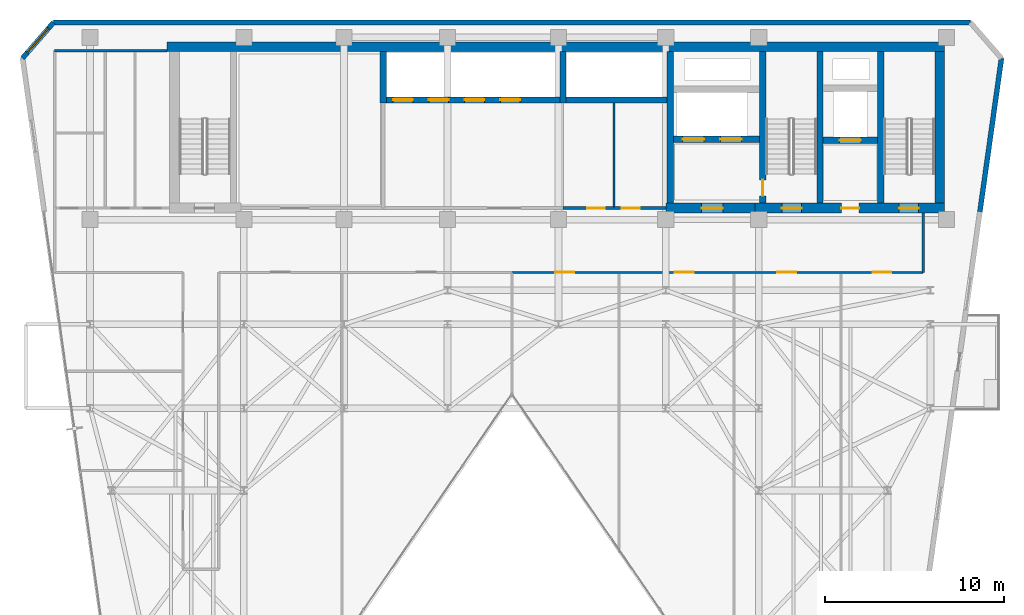
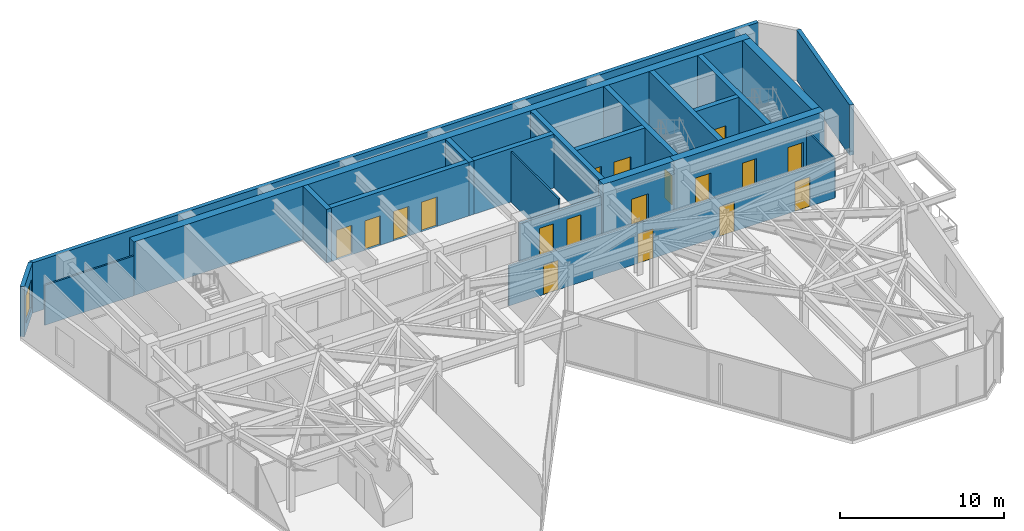
# One storey, part 23 of 26: 22 walls, 18 doors, 1 window, 19 openings.
"""IFC4 building model written with IfcOpenShell, lengths in metres."""

from ifc_helpers import new_model, si_unit, direction, frame, frame_2d, origin, place, context, subcontext, project, spatial, rectangle, extrude, material, layer, layer_set, type_object, element, fill, save


model = new_model("IFC4")

# Units and contexts
model_context = context("Model", 3, precision=1e-05, world=origin(), true_north=direction((0.0, 1.0)))
body_context = subcontext(model_context, "Body", "Model", "MODEL_VIEW")
ifc_project = project(units=[si_unit("LENGTHUNIT", "METRE"), si_unit("AREAUNIT", "SQUARE_METRE"), si_unit("VOLUMEUNIT", "CUBIC_METRE"), si_unit("PLANEANGLEUNIT", "RADIAN"), si_unit("MASSUNIT", "GRAM", prefix="KILO")], contexts=[model_context])

# Site, building, storey
site_placement = place(None, origin())
site = spatial("IfcSite", under=ifc_project, at=site_placement, CompositionType="ELEMENT")
building_placement = place(site_placement, origin())
building = spatial("IfcBuilding", under=site, at=building_placement, Name="Kravanh Interchange Tower", CompositionType="ELEMENT")
storey_placement = place(building_placement, frame((0.0, 0.0, 212.5)))
storey = spatial("IfcBuildingStorey", under=building, at=storey_placement, Name="L51", CompositionType="ELEMENT", Elevation=212.5)

# Walls
ifc_material_1 = material(Name="Double Acoustic Gypsum Board and Mineral Wool")
ifc_layer_1 = layer(ifc_material_1, 0.1201171875)
ifc_layer_set_1 = layer_set([ifc_layer_1], Name="Acoustic Office Drywall Partition 120mm")
wall_type_1 = type_object("IfcWallType", Name="Acoustic Office Drywall Partition 120mm", PredefinedType="PARTITIONING", material=ifc_layer_set_1)
wall_1_placement = place(storey_placement, frame((47.89990234375, 38.068115234375, 0.0), z_axis=(0.0, 0.0, 1.0), x_axis=(0.0, 1.0, 0.0)))
element("IfcWall", 1, at=wall_1_placement, inside=storey, type_object=wall_type_1, Name="L51 Interior Partition 2", PredefinedType="PARTITIONING", context=body_context, shape_type="SweptSolid", body=[
    extrude(rectangle(XDim=5.798828125, YDim=0.1201171875, at=frame_2d((2.8994140625, 0.0))), origin(), (0.0, 0.0, 1.0), 3.7548828125),
])
wall_2_placement = place(storey_placement, frame((16.6201171875, 46.800048828125, 0.0), z_axis=(0.0, 0.0, 1.0), x_axis=(1.0, 0.0, 0.0)))
element("IfcWall", 2, at=wall_2_placement, inside=storey, type_object=wall_type_1, Name="L51 Restroom North Enclosure 8", PredefinedType="PARTITIONING", context=body_context, shape_type="SweptSolid", body=[
    extrude(rectangle(XDim=6.27978515625, YDim=0.1201171875, at=frame_2d((3.139892578125, 0.0))), origin(), (0.0, 0.0, 1.0), 2.98193359375),
])

# Wall, openings, doors
wall_3_placement = place(storey_placement, frame((42.199951171875, 34.39990234375, 0.0), z_axis=(0.0, 0.0, 1.0), x_axis=(1.0, 0.0, 0.0)))
wall_3 = element("IfcWall", 3, at=wall_3_placement, inside=storey, type_object=wall_type_1, Name="L51 Interior Partition 14", PredefinedType="PARTITIONING", context=body_context, shape_type="SweptSolid", body=[
    extrude(rectangle(XDim=23.0, YDim=0.1201171875, at=frame_2d((11.5, 0.0))), origin(), (0.0, 0.0, 1.0), 2.98193359375),
])
opening_1_placement = place(wall_3_placement, frame((2.4248046875, 0.0, 0.0)))
opening_1 = element("IfcOpeningElement", 4, at=opening_1_placement, cuts=wall_3, Name="Opening D-105", PredefinedType="OPENING", context=body_context, shape_type="SweptSolid", body=[
    extrude(rectangle(XDim=1.050048828125, YDim=2.199951171875, at=frame_2d((0.52490234375, 1.10009765625))), frame((0.0, 0.070068359375, 0.0), z_axis=(0.0, -1.0, 0.0), x_axis=(1.0, 0.0, 0.0)), (0.0, 0.0, 1.0), 0.14013671875),
])
opening_2_placement = place(wall_3_placement, frame((9.115966796875, 0.0, 0.0)))
opening_2 = element("IfcOpeningElement", 5, at=opening_2_placement, cuts=wall_3, Name="Opening D-105", PredefinedType="OPENING", context=body_context, shape_type="SweptSolid", body=[
    extrude(rectangle(XDim=1.050048828125, YDim=2.199951171875, at=frame_2d((0.52490234375, 1.10009765625))), frame((0.0, 0.070068359375, 0.0), z_axis=(0.0, -1.0, 0.0), x_axis=(1.0, 0.0, 0.0)), (0.0, 0.0, 1.0), 0.14013671875),
])
opening_3_placement = place(wall_3_placement, frame((14.8447265625, 0.0, 0.0)))
opening_3 = element("IfcOpeningElement", 6, at=opening_3_placement, cuts=wall_3, Name="Opening D-105", PredefinedType="OPENING", context=body_context, shape_type="SweptSolid", body=[
    extrude(rectangle(XDim=1.050048828125, YDim=2.199951171875, at=frame_2d((0.52490234375, 1.10009765625))), frame((0.0, 0.070068359375, 0.0), z_axis=(0.0, -1.0, 0.0), x_axis=(1.0, 0.0, 0.0)), (0.0, 0.0, 1.0), 0.14013671875),
])
opening_4_placement = place(wall_3_placement, frame((20.175048828125, 0.0, 0.0)))
opening_4 = element("IfcOpeningElement", 7, at=opening_4_placement, cuts=wall_3, Name="Opening D-105", PredefinedType="OPENING", context=body_context, shape_type="SweptSolid", body=[
    extrude(rectangle(XDim=1.050048828125, YDim=2.199951171875, at=frame_2d((0.52490234375, 1.10009765625))), frame((0.0, 0.070068359375, 0.0), z_axis=(0.0, -1.0, 0.0), x_axis=(1.0, 0.0, 0.0)), (0.0, 0.0, 1.0), 0.14013671875),
])
ifc_material_2 = material(Name="Acoustic Glazed Oak and Aluminium", Category="aluminium")
door_type_1 = type_object("IfcDoorType", Name="Office Workplace Door 1050x2200", OperationType="NOTDEFINED", PredefinedType="DOOR", material=ifc_material_2)
door_1_placement = place(opening_1_placement, origin())
door_1 = element("IfcDoor", 8, at=door_1_placement, inside=storey, type_object=door_type_1, Name="L51 Partner Office 14B Door", OperationType="SINGLE_SWING_RIGHT", OverallHeight=2.199951171875, OverallWidth=1.050048828125, PredefinedType="DOOR", context=body_context, shape_type="SweptSolid", body=[
    extrude(rectangle(XDim=1.050048828125, YDim=2.199951171875, at=frame_2d((0.52490234375, 1.10009765625))), frame((0.0, 0.02490234375, 0.0), z_axis=(0.0, -1.0, 0.0), x_axis=(1.0, 0.0, 0.0)), (0.0, 0.0, 1.0), 0.050048828125),
])
fill(opening_1, door_1)
door_2_placement = place(opening_2_placement, origin())
door_2 = element("IfcDoor", 9, at=door_2_placement, inside=storey, type_object=door_type_1, Name="L51 Focus Study 14A Door", OperationType="SINGLE_SWING_LEFT", OverallHeight=2.199951171875, OverallWidth=1.050048828125, PredefinedType="DOOR", context=body_context, shape_type="SweptSolid", body=[
    extrude(rectangle(XDim=1.050048828125, YDim=2.199951171875, at=frame_2d((0.52490234375, 1.10009765625))), frame((0.0, 0.02490234375, 0.0), z_axis=(0.0, -1.0, 0.0), x_axis=(1.0, 0.0, 0.0)), (0.0, 0.0, 1.0), 0.050048828125),
])
fill(opening_2, door_2)
door_3_placement = place(opening_3_placement, origin())
door_3 = element("IfcDoor", 10, at=door_3_placement, inside=storey, type_object=door_type_1, Name="L51 East Balcony Office 14C Door", OperationType="SINGLE_SWING_RIGHT", OverallHeight=2.199951171875, OverallWidth=1.050048828125, PredefinedType="DOOR", context=body_context, shape_type="SweptSolid", body=[
    extrude(rectangle(XDim=1.050048828125, YDim=2.199951171875, at=frame_2d((0.52490234375, 1.10009765625))), frame((0.0, 0.02490234375, 0.0), z_axis=(0.0, -1.0, 0.0), x_axis=(1.0, 0.0, 0.0)), (0.0, 0.0, 1.0), 0.050048828125),
])
fill(opening_3, door_3)
door_4_placement = place(opening_4_placement, origin())
door_4 = element("IfcDoor", 11, at=door_4_placement, inside=storey, type_object=door_type_1, Name="L51 East Pantry Kitchenette Door", OperationType="SINGLE_SWING_LEFT", OverallHeight=2.199951171875, OverallWidth=1.050048828125, PredefinedType="DOOR", context=body_context, shape_type="SweptSolid", body=[
    extrude(rectangle(XDim=1.050048828125, YDim=2.199951171875, at=frame_2d((0.52490234375, 1.10009765625))), frame((0.0, 0.02490234375, 0.0), z_axis=(0.0, -1.0, 0.0), x_axis=(1.0, 0.0, 0.0)), (0.0, 0.0, 1.0), 0.050048828125),
])
fill(opening_4, door_4)

# Walls
wall_4_placement = place(storey_placement, frame((65.199951171875, 34.39990234375, 0.0), z_axis=(0.0, 0.0, 1.0), x_axis=(0.0, 1.0, 0.0)))
element("IfcWall", 12, at=wall_4_placement, inside=storey, type_object=wall_type_1, Name="L51 Interior Partition 16", PredefinedType="PARTITIONING", context=body_context, shape_type="SweptSolid", body=[
    extrude(rectangle(XDim=3.317138671875, YDim=0.1201171875, at=frame_2d((1.65869140625, 0.0))), origin(), (0.0, 0.0, 1.0), 2.98193359375),
])
ifc_material_3 = material(Name="Concrete C60/75", Category="concrete")
ifc_layer_2 = layer(ifc_material_3, 0.35009765625)
ifc_layer_set_2 = layer_set([ifc_layer_2], Name="Core Shear Wall Concrete C60/75 350mm")
wall_type_2 = type_object("IfcWallType", Name="Core Shear Wall Concrete C60/75 350mm", PredefinedType="SHEAR", material=ifc_layer_set_2)
for number, where, z_axis, x_axis, name in (
    (13, (62.824951171875, 38.27490234375, 0.0), (0.0, 0.0, 1.0), (0.0, 1.0, 0.0), "L51 Stair ST1 West Shear Wall"),
    (14, (59.425048828125, 38.27490234375, 0.0), (0.0, 0.0, 1.0), (0.0, 1.0, 0.0), "L51 Stair ST2 East Shear Wall"),
):
    element("IfcWall", number, at=place(storey_placement, frame(where, z_axis=z_axis, x_axis=x_axis)), inside=storey, type_object=wall_type_2, Name=name, PredefinedType="SHEAR", context=body_context, shape_type="SweptSolid", body=[
        extrude(rectangle(XDim=8.47509765625, YDim=0.35009765625, at=frame_2d((4.237548828125, 0.0))), origin(), (0.0, 0.0, 1.0), 4.0),
    ])

# Wall, opening, door
wall_5_placement = place(storey_placement, frame((56.22509765625, 38.27490234375, 0.0), z_axis=(0.0, 0.0, 1.0), x_axis=(0.0, 1.0, 0.0)))
wall_5 = element("IfcWall", 15, at=wall_5_placement, inside=storey, type_object=wall_type_2, Name="L51 Stair ST2 West Shear Wall", PredefinedType="SHEAR", context=body_context, shape_type="SweptSolid", body=[
    extrude(rectangle(XDim=8.47509765625, YDim=0.35009765625, at=frame_2d((4.237548828125, 0.0))), origin(), (0.0, 0.0, 1.0), 4.0),
])
opening_5_placement = place(wall_5_placement, frame((0.405029296875, 0.0, 0.0)))
opening_5 = element("IfcOpeningElement", 16, at=opening_5_placement, cuts=wall_5, Name="Opening D-STAIR-90", PredefinedType="OPENING", context=body_context, shape_type="SweptSolid", body=[
    extrude(rectangle(XDim=0.89990234375, YDim=2.14990234375, at=frame_2d((0.449951171875, 1.074951171875))), frame((0.0, 0.18505859375, 0.0), z_axis=(0.0, -1.0, 0.0), x_axis=(1.0, 0.0, 0.0)), (0.0, 0.0, 1.0), 0.3701171875),
])
ifc_material_4 = material(Name="Structural Steel S355", Category="steel")
door_type_2 = type_object("IfcDoorType", Name="Fire-Rated Stair Lobby Door 900x2150", OperationType="NOTDEFINED", PredefinedType="DOOR", material=ifc_material_4)
door_5_placement = place(opening_5_placement, origin())
door_5 = element("IfcDoor", 17, at=door_5_placement, inside=storey, type_object=door_type_2, Name="L51 Firefighting Lobby to Stair ST2 Door", OperationType="SINGLE_SWING_LEFT", OverallHeight=2.14990234375, OverallWidth=0.89990234375, PredefinedType="DOOR", context=body_context, shape_type="SweptSolid", body=[
    extrude(rectangle(XDim=0.89990234375, YDim=2.14990234375, at=frame_2d((0.449951171875, 1.074951171875))), frame((0.0, 0.02490234375, 0.0), z_axis=(0.0, -1.0, 0.0), x_axis=(1.0, 0.0, 0.0)), (0.0, 0.0, 1.0), 0.050048828125),
])
fill(opening_5, door_5)

wall_6_placement = place(storey_placement, frame((59.60009765625, 41.800048828125, 0.0), z_axis=(0.0, 0.0, 1.0), x_axis=(1.0, 0.0, 0.0)))
wall_6 = element("IfcWall", 18, at=wall_6_placement, inside=storey, type_object=wall_type_2, Name="L51 Service Lift Shaft South Wall", PredefinedType="SHEAR", context=body_context, shape_type="SweptSolid", body=[
    extrude(rectangle(XDim=3.0498046875, YDim=0.35009765625, at=frame_2d((1.52490234375, 0.0))), origin(), (0.0, 0.0, 1.0), 4.0),
])
opening_6_placement = place(wall_6_placement, frame((0.919921875, 0.0, 0.0)))
opening_6 = element("IfcOpeningElement", 19, at=opening_6_placement, cuts=wall_6, Name="Opening LD02", PredefinedType="OPENING", context=body_context, shape_type="SweptSolid", body=[
    extrude(rectangle(XDim=1.199951171875, YDim=2.199951171875, at=frame_2d((0.60009765625, 1.10009765625))), frame((0.0, 0.18505859375, 0.0), z_axis=(0.0, -1.0, 0.0), x_axis=(1.0, 0.0, 0.0)), (0.0, 0.0, 1.0), 0.3701171875),
])
ifc_material_5 = material(Name="Stainless Steel 316", Category="steel")
door_type_3 = type_object("IfcDoorType", Name="Fire and Service Lift Sliding Landing Door 1200x2200", OperationType="DOUBLE_DOOR_SLIDING", PredefinedType="DOOR", material=ifc_material_5)
door_6_placement = place(opening_6_placement, origin())
door_6 = element("IfcDoor", 20, at=door_6_placement, inside=storey, type_object=door_type_3, Name="L51 Lift LS-01 Landing Door", OperationType="DOUBLE_DOOR_SLIDING", OverallHeight=2.199951171875, OverallWidth=1.199951171875, PredefinedType="DOOR", context=body_context, shape_type="SweptSolid", body=[
    extrude(rectangle(XDim=1.199951171875, YDim=2.199951171875, at=frame_2d((0.60009765625, 1.10009765625))), frame((0.0, 0.02490234375, 0.0), z_axis=(0.0, -1.0, 0.0), x_axis=(1.0, 0.0, 0.0)), (0.0, 0.0, 1.0), 0.050048828125),
])
fill(opening_6, door_6)

# Wall, openings, doors
wall_7_placement = place(storey_placement, frame((51.22509765625, 41.85009765625, 0.0), z_axis=(0.0, 0.0, 1.0), x_axis=(1.0, 0.0, 0.0)))
wall_7 = element("IfcWall", 21, at=wall_7_placement, inside=storey, type_object=wall_type_2, Name="L51 Fire Lift Shaft South Wall", PredefinedType="SHEAR", context=body_context, shape_type="SweptSolid", body=[
    extrude(rectangle(XDim=4.824951171875, YDim=0.35009765625, at=frame_2d((2.41259765625, 0.0))), origin(), (0.0, 0.0, 1.0), 4.0),
])
opening_7_placement = place(wall_7_placement, frame((0.52490234375, 0.0, 0.0)))
opening_7 = element("IfcOpeningElement", 22, at=opening_7_placement, cuts=wall_7, Name="Opening LD02", PredefinedType="OPENING", context=body_context, shape_type="SweptSolid", body=[
    extrude(rectangle(XDim=1.199951171875, YDim=2.199951171875, at=frame_2d((0.60009765625, 1.10009765625))), frame((0.0, 0.18505859375, 0.0), z_axis=(0.0, -1.0, 0.0), x_axis=(1.0, 0.0, 0.0)), (0.0, 0.0, 1.0), 0.3701171875),
])
opening_8_placement = place(wall_7_placement, frame((2.625, 0.0, 0.0)))
opening_8 = element("IfcOpeningElement", 23, at=opening_8_placement, cuts=wall_7, Name="Opening LD02", PredefinedType="OPENING", context=body_context, shape_type="SweptSolid", body=[
    extrude(rectangle(XDim=1.199951171875, YDim=2.199951171875, at=frame_2d((0.60009765625, 1.10009765625))), frame((0.0, 0.18505859375, 0.0), z_axis=(0.0, -1.0, 0.0), x_axis=(1.0, 0.0, 0.0)), (0.0, 0.0, 1.0), 0.3701171875),
])
door_7_placement = place(opening_7_placement, origin())
door_7 = element("IfcDoor", 24, at=door_7_placement, inside=storey, type_object=door_type_3, Name="L51 Lift FSAE-01 Landing Door", OperationType="DOUBLE_DOOR_SLIDING", OverallHeight=2.199951171875, OverallWidth=1.199951171875, PredefinedType="DOOR", context=body_context, shape_type="SweptSolid", body=[
    extrude(rectangle(XDim=1.199951171875, YDim=2.199951171875, at=frame_2d((0.60009765625, 1.10009765625))), frame((0.0, 0.02490234375, 0.0), z_axis=(0.0, -1.0, 0.0), x_axis=(1.0, 0.0, 0.0)), (0.0, 0.0, 1.0), 0.050048828125),
])
fill(opening_7, door_7)
door_8_placement = place(opening_8_placement, origin())
door_8 = element("IfcDoor", 25, at=door_8_placement, inside=storey, type_object=door_type_3, Name="L51 Lift FSAE-02 Landing Door", OperationType="DOUBLE_DOOR_SLIDING", OverallHeight=2.199951171875, OverallWidth=1.199951171875, PredefinedType="DOOR", context=body_context, shape_type="SweptSolid", body=[
    extrude(rectangle(XDim=1.199951171875, YDim=2.199951171875, at=frame_2d((0.60009765625, 1.10009765625))), frame((0.0, 0.02490234375, 0.0), z_axis=(0.0, -1.0, 0.0), x_axis=(1.0, 0.0, 0.0)), (0.0, 0.0, 1.0), 0.050048828125),
])
fill(opening_8, door_8)

# Walls
wall_8_placement = place(storey_placement, frame((51.050048828125, 38.27490234375, 0.0), z_axis=(0.0, 0.0, 1.0), x_axis=(0.0, 1.0, 0.0)))
element("IfcWall", 26, at=wall_8_placement, inside=storey, type_object=wall_type_2, Name="L51 Firefighting Lobby West Wall", PredefinedType="SHEAR", context=body_context, shape_type="SweptSolid", body=[
    extrude(rectangle(XDim=8.47509765625, YDim=0.35009765625, at=frame_2d((4.237548828125, 0.0))), origin(), (0.0, 0.0, 1.0), 4.0),
])
wall_9_placement = place(storey_placement, frame((45.22509765625, 44.050048828125, 0.0), z_axis=(0.0, 0.0, 1.0), x_axis=(1.0, 0.0, 0.0)))
element("IfcWall", 27, at=wall_9_placement, inside=storey, type_object=wall_type_2, Name="L51 High-Rise Lift Shaft South Wall", PredefinedType="SHEAR", context=body_context, shape_type="SweptSolid", body=[
    extrude(rectangle(XDim=5.64990234375, YDim=0.35009765625, at=frame_2d((2.824951171875, 0.0))), origin(), (0.0, 0.0, 1.0), 4.0),
])
wall_10_placement = place(storey_placement, frame((45.050048828125, 43.875, 0.0), z_axis=(0.0, 0.0, 1.0), x_axis=(0.0, 1.0, 0.0)))
element("IfcWall", 28, at=wall_10_placement, inside=storey, type_object=wall_type_2, Name="L51 High-Rise Lift Shaft West Wall", PredefinedType="SHEAR", context=body_context, shape_type="SweptSolid", body=[
    extrude(rectangle(XDim=2.875, YDim=0.35009765625, at=frame_2d((1.4375, 0.0))), origin(), (0.0, 0.0, 1.0), 4.0),
])

# Wall, openings, doors
wall_11_placement = place(storey_placement, frame((35.175048828125, 44.050048828125, 0.0), z_axis=(0.0, 0.0, 1.0), x_axis=(1.0, 0.0, 0.0)))
wall_11 = element("IfcWall", 29, at=wall_11_placement, inside=storey, type_object=wall_type_2, Name="L51 Mid-Rise Lift Shaft South Wall", PredefinedType="SHEAR", context=body_context, shape_type="SweptSolid", body=[
    extrude(rectangle(XDim=9.699951171875, YDim=0.35009765625, at=frame_2d((4.85009765625, 0.0))), origin(), (0.0, 0.0, 1.0), 4.0),
])
opening_9_placement = place(wall_11_placement, frame((0.375, 0.0, 0.0)))
opening_9 = element("IfcOpeningElement", 30, at=opening_9_placement, cuts=wall_11, Name="Opening LD01", PredefinedType="OPENING", context=body_context, shape_type="SweptSolid", body=[
    extrude(rectangle(XDim=1.10009765625, YDim=2.199951171875, at=frame_2d((0.550048828125, 1.10009765625))), frame((0.0, 0.18505859375, 0.0), z_axis=(0.0, -1.0, 0.0), x_axis=(1.0, 0.0, 0.0)), (0.0, 0.0, 1.0), 0.3701171875),
])
opening_10_placement = place(wall_11_placement, frame((2.375, 0.0, 0.0)))
opening_10 = element("IfcOpeningElement", 31, at=opening_10_placement, cuts=wall_11, Name="Opening LD01", PredefinedType="OPENING", context=body_context, shape_type="SweptSolid", body=[
    extrude(rectangle(XDim=1.10009765625, YDim=2.199951171875, at=frame_2d((0.550048828125, 1.10009765625))), frame((0.0, 0.18505859375, 0.0), z_axis=(0.0, -1.0, 0.0), x_axis=(1.0, 0.0, 0.0)), (0.0, 0.0, 1.0), 0.3701171875),
])
opening_11_placement = place(wall_11_placement, frame((4.375, 0.0, 0.0)))
opening_11 = element("IfcOpeningElement", 32, at=opening_11_placement, cuts=wall_11, Name="Opening LD01", PredefinedType="OPENING", context=body_context, shape_type="SweptSolid", body=[
    extrude(rectangle(XDim=1.10009765625, YDim=2.199951171875, at=frame_2d((0.550048828125, 1.10009765625))), frame((0.0, 0.18505859375, 0.0), z_axis=(0.0, -1.0, 0.0), x_axis=(1.0, 0.0, 0.0)), (0.0, 0.0, 1.0), 0.3701171875),
])
opening_12_placement = place(wall_11_placement, frame((6.375, 0.0, 0.0)))
opening_12 = element("IfcOpeningElement", 33, at=opening_12_placement, cuts=wall_11, Name="Opening LD01", PredefinedType="OPENING", context=body_context, shape_type="SweptSolid", body=[
    extrude(rectangle(XDim=1.10009765625, YDim=2.199951171875, at=frame_2d((0.550048828125, 1.10009765625))), frame((0.0, 0.18505859375, 0.0), z_axis=(0.0, -1.0, 0.0), x_axis=(1.0, 0.0, 0.0)), (0.0, 0.0, 1.0), 0.3701171875),
])
ifc_material_6 = material(Name="Stainless Steel 304", Category="steel")
door_type_4 = type_object("IfcDoorType", Name="Passenger Lift Sliding Landing Door 1100x2200", OperationType="DOUBLE_DOOR_SLIDING", PredefinedType="DOOR", material=ifc_material_6)
door_9_placement = place(opening_9_placement, origin())
door_9 = element("IfcDoor", 34, at=door_9_placement, inside=storey, type_object=door_type_4, Name="L51 Lift LP-M1 Landing Door", OperationType="DOUBLE_DOOR_SLIDING", OverallHeight=2.199951171875, OverallWidth=1.10009765625, PredefinedType="DOOR", context=body_context, shape_type="SweptSolid", body=[
    extrude(rectangle(XDim=1.10009765625, YDim=2.199951171875, at=frame_2d((0.550048828125, 1.10009765625))), frame((0.0, 0.02490234375, 0.0), z_axis=(0.0, -1.0, 0.0), x_axis=(1.0, 0.0, 0.0)), (0.0, 0.0, 1.0), 0.050048828125),
])
fill(opening_9, door_9)
door_10_placement = place(opening_10_placement, origin())
door_10 = element("IfcDoor", 35, at=door_10_placement, inside=storey, type_object=door_type_4, Name="L51 Lift LP-M2 Landing Door", OperationType="DOUBLE_DOOR_SLIDING", OverallHeight=2.199951171875, OverallWidth=1.10009765625, PredefinedType="DOOR", context=body_context, shape_type="SweptSolid", body=[
    extrude(rectangle(XDim=1.10009765625, YDim=2.199951171875, at=frame_2d((0.550048828125, 1.10009765625))), frame((0.0, 0.02490234375, 0.0), z_axis=(0.0, -1.0, 0.0), x_axis=(1.0, 0.0, 0.0)), (0.0, 0.0, 1.0), 0.050048828125),
])
fill(opening_10, door_10)
door_11_placement = place(opening_11_placement, origin())
door_11 = element("IfcDoor", 36, at=door_11_placement, inside=storey, type_object=door_type_4, Name="L51 Lift LP-M3 Landing Door", OperationType="DOUBLE_DOOR_SLIDING", OverallHeight=2.199951171875, OverallWidth=1.10009765625, PredefinedType="DOOR", context=body_context, shape_type="SweptSolid", body=[
    extrude(rectangle(XDim=1.10009765625, YDim=2.199951171875, at=frame_2d((0.550048828125, 1.10009765625))), frame((0.0, 0.02490234375, 0.0), z_axis=(0.0, -1.0, 0.0), x_axis=(1.0, 0.0, 0.0)), (0.0, 0.0, 1.0), 0.050048828125),
])
fill(opening_11, door_11)
door_12_placement = place(opening_12_placement, origin())
door_12 = element("IfcDoor", 37, at=door_12_placement, inside=storey, type_object=door_type_4, Name="L51 Lift LP-M4 Landing Door", OperationType="DOUBLE_DOOR_SLIDING", OverallHeight=2.199951171875, OverallWidth=1.10009765625, PredefinedType="DOOR", context=body_context, shape_type="SweptSolid", body=[
    extrude(rectangle(XDim=1.10009765625, YDim=2.199951171875, at=frame_2d((0.550048828125, 1.10009765625))), frame((0.0, 0.02490234375, 0.0), z_axis=(0.0, -1.0, 0.0), x_axis=(1.0, 0.0, 0.0)), (0.0, 0.0, 1.0), 0.050048828125),
])
fill(opening_12, door_12)

# Walls
wall_12_placement = place(storey_placement, frame((35.0, 43.875, 0.0), z_axis=(0.0, 0.0, 1.0), x_axis=(0.0, 1.0, 0.0)))
element("IfcWall", 38, at=wall_12_placement, inside=storey, type_object=wall_type_2, Name="L51 Mid-Rise Lift Shaft West Wall", PredefinedType="SHEAR", context=body_context, shape_type="SweptSolid", body=[
    extrude(rectangle(XDim=2.875, YDim=0.35009765625, at=frame_2d((1.4375, 0.0))), origin(), (0.0, 0.0, 1.0), 4.0),
])
ifc_material_7 = material(Name="Concrete C70/85", Category="concrete")
ifc_layer_3 = layer(ifc_material_7, 0.550048828125)
ifc_layer_set_3 = layer_set([ifc_layer_3], Name="Core Shear Wall Concrete C70/85 550mm")
wall_type_3 = type_object("IfcWallType", Name="Core Shear Wall Concrete C70/85 550mm", PredefinedType="SHEAR", material=ifc_layer_set_3)
wall_13_placement = place(storey_placement, frame((22.89990234375, 47.02490234375, 0.0), z_axis=(0.0, 0.0, 1.0), x_axis=(1.0, 0.0, 0.0)))
element("IfcWall", 39, at=wall_13_placement, inside=storey, type_object=wall_type_3, Name="L51 North Core Shear Wall", PredefinedType="SHEAR", context=body_context, shape_type="SweptSolid", body=[
    extrude(rectangle(XDim=43.5, YDim=0.550048828125, at=frame_2d((21.75, 0.0))), origin(), (0.0, 0.0, 1.0), 4.0),
])

# Wall, openings, doors
wall_14_placement = place(storey_placement, frame((55.800048828125, 38.0, 0.0), z_axis=(0.0, 0.0, 1.0), x_axis=(1.0, 0.0, 0.0)))
wall_14 = element("IfcWall", 40, at=wall_14_placement, inside=storey, type_object=wall_type_3, Name="L51 East Core South Shear Wall", PredefinedType="SHEAR", context=body_context, shape_type="SweptSolid", body=[
    extrude(rectangle(XDim=10.599853515625, YDim=0.550048828125, at=frame_2d((5.2998046875, 0.0))), origin(), (0.0, 0.0, 1.0), 4.0),
])
opening_13_placement = place(wall_14_placement, frame((1.5, 0.0, 0.0)))
opening_13 = element("IfcOpeningElement", 41, at=opening_13_placement, cuts=wall_14, Name="Opening D-STAIR-110", PredefinedType="OPENING", context=body_context, shape_type="SweptSolid", body=[
    extrude(rectangle(XDim=1.10009765625, YDim=2.199951171875, at=frame_2d((0.550048828125, 1.10009765625))), frame((0.0, 0.28515625, 0.0), z_axis=(0.0, -1.0, 0.0), x_axis=(1.0, 0.0, 0.0)), (0.0, 0.0, 1.0), 0.570068359375),
])
opening_14_placement = place(wall_14_placement, frame((4.820068359375, 0.0, 0.0)))
opening_14 = element("IfcOpeningElement", 42, at=opening_14_placement, cuts=wall_14, Name="Opening D-HOTEL-100", PredefinedType="OPENING", context=body_context, shape_type="SweptSolid", body=[
    extrude(rectangle(XDim=1.0, YDim=2.14990234375, at=frame_2d((0.5, 1.074951171875))), frame((0.0, 0.28515625, 0.0), z_axis=(0.0, -1.0, 0.0), x_axis=(1.0, 0.0, 0.0)), (0.0, 0.0, 1.0), 0.570068359375),
])
opening_15_placement = place(wall_14_placement, frame((8.050048828125, 0.0, 0.0)))
opening_15 = element("IfcOpeningElement", 43, at=opening_15_placement, cuts=wall_14, Name="Opening D-STAIR-110", PredefinedType="OPENING", context=body_context, shape_type="SweptSolid", body=[
    extrude(rectangle(XDim=1.10009765625, YDim=2.199951171875, at=frame_2d((0.550048828125, 1.10009765625))), frame((0.0, 0.28515625, 0.0), z_axis=(0.0, -1.0, 0.0), x_axis=(1.0, 0.0, 0.0)), (0.0, 0.0, 1.0), 0.570068359375),
])
ifc_material_8 = material(Name="Structural Steel S355", Category="steel")
door_type_5 = type_object("IfcDoorType", Name="Fire-Rated Exit Stair Door 1100x2200", OperationType="NOTDEFINED", PredefinedType="DOOR", material=ifc_material_8)
door_13_placement = place(opening_13_placement, origin())
door_13 = element("IfcDoor", 44, at=door_13_placement, inside=storey, type_object=door_type_5, Name="L51 Exit Stair ST2 Door", OperationType="SINGLE_SWING_RIGHT", OverallHeight=2.199951171875, OverallWidth=1.10009765625, PredefinedType="DOOR", context=body_context, shape_type="SweptSolid", body=[
    extrude(rectangle(XDim=1.10009765625, YDim=2.199951171875, at=frame_2d((0.550048828125, 1.10009765625))), frame((0.0, 0.02490234375, 0.0), z_axis=(0.0, -1.0, 0.0), x_axis=(1.0, 0.0, 0.0)), (0.0, 0.0, 1.0), 0.050048828125),
])
fill(opening_13, door_13)
door_14_placement = place(opening_15_placement, origin())
door_14 = element("IfcDoor", 45, at=door_14_placement, inside=storey, type_object=door_type_5, Name="L51 Exit Stair ST1 Door", OperationType="SINGLE_SWING_RIGHT", OverallHeight=2.199951171875, OverallWidth=1.10009765625, PredefinedType="DOOR", context=body_context, shape_type="SweptSolid", body=[
    extrude(rectangle(XDim=1.10009765625, YDim=2.199951171875, at=frame_2d((0.550048828125, 1.10009765625))), frame((0.0, 0.02490234375, 0.0), z_axis=(0.0, -1.0, 0.0), x_axis=(1.0, 0.0, 0.0)), (0.0, 0.0, 1.0), 0.050048828125),
])
fill(opening_15, door_14)
ifc_material_9 = material(Name="Fire-Rated Solid Timber Leaf", Category="wood")
door_type_6 = type_object("IfcDoorType", Name="Fire-Rated Suite Entrance Door 1000x2150", OperationType="NOTDEFINED", PredefinedType="DOOR", material=ifc_material_9)
door_15_placement = place(opening_14_placement, origin())
door_15 = element("IfcDoor", 46, at=door_15_placement, inside=storey, type_object=door_type_6, Name="L51 Service Lift Lobby Door", OperationType="SINGLE_SWING_RIGHT", OverallHeight=2.14990234375, OverallWidth=1.0, PredefinedType="DOOR", context=body_context, shape_type="SweptSolid", body=[
    extrude(rectangle(XDim=1.0, YDim=2.14990234375, at=frame_2d((0.5, 1.074951171875))), frame((0.0, 0.02490234375, 0.0), z_axis=(0.0, -1.0, 0.0), x_axis=(1.0, 0.0, 0.0)), (0.0, 0.0, 1.0), 0.050048828125),
])
fill(opening_14, door_15)

# Wall
wall_15_placement = place(storey_placement, frame((66.125, 38.27490234375, 0.0), z_axis=(0.0, 0.0, 1.0), x_axis=(0.0, 1.0, 0.0)))
element("IfcWall", 47, at=wall_15_placement, inside=storey, type_object=wall_type_3, Name="L51 Stair ST1 East Shear Wall", PredefinedType="SHEAR", context=body_context, shape_type="SweptSolid", body=[
    extrude(rectangle(XDim=8.47509765625, YDim=0.550048828125, at=frame_2d((4.237548828125, 0.0))), origin(), (0.0, 0.0, 1.0), 4.0),
])

# Wall, opening, door
wall_16_placement = place(storey_placement, frame((50.800048828125, 38.0, 0.0), z_axis=(0.0, 0.0, 1.0), x_axis=(1.0, 0.0, 0.0)))
wall_16 = element("IfcWall", 48, at=wall_16_placement, inside=storey, type_object=wall_type_3, Name="L51 Firefighting Lobby South Shear Wall", PredefinedType="SHEAR", context=body_context, shape_type="SweptSolid", body=[
    extrude(rectangle(XDim=5.0, YDim=0.550048828125, at=frame_2d((2.5, 0.0))), origin(), (0.0, 0.0, 1.0), 4.0),
])
opening_16_placement = place(wall_16_placement, frame((2.0, 0.0, 0.0)))
opening_16 = element("IfcOpeningElement", 49, at=opening_16_placement, cuts=wall_16, Name="Opening D-FSAE-120", PredefinedType="OPENING", context=body_context, shape_type="SweptSolid", body=[
    extrude(rectangle(XDim=1.199951171875, YDim=2.199951171875, at=frame_2d((0.60009765625, 1.10009765625))), frame((0.0, 0.28515625, 0.0), z_axis=(0.0, -1.0, 0.0), x_axis=(1.0, 0.0, 0.0)), (0.0, 0.0, 1.0), 0.570068359375),
])
ifc_material_10 = material(Name="Structural Steel S355", Category="steel")
door_type_7 = type_object("IfcDoorType", Name="Fire-Rated Refuge and FSAE Door 1200x2200", OperationType="NOTDEFINED", PredefinedType="DOOR", material=ifc_material_10)
door_16_placement = place(opening_16_placement, origin())
door_16 = element("IfcDoor", 50, at=door_16_placement, inside=storey, type_object=door_type_7, Name="L51 Firefighting Lobby Corridor Door", OperationType="SINGLE_SWING_RIGHT", OverallHeight=2.199951171875, OverallWidth=1.199951171875, PredefinedType="DOOR", context=body_context, shape_type="SweptSolid", body=[
    extrude(rectangle(XDim=1.199951171875, YDim=2.199951171875, at=frame_2d((0.60009765625, 1.10009765625))), frame((0.0, 0.02490234375, 0.0), z_axis=(0.0, -1.0, 0.0), x_axis=(1.0, 0.0, 0.0)), (0.0, 0.0, 1.0), 0.050048828125),
])
fill(opening_16, door_16)

# Wall, opening, window
ifc_material_11 = material(Name="Insulated Precast Concrete C40/50 with Bronze Cladding", Category="concrete")
ifc_layer_4 = layer(ifc_material_11, 0.280029296875)
ifc_layer_set_4 = layer_set([ifc_layer_4], Name="Exterior Insulated Concrete C40/50 Bronze Spandrel Wall 280mm")
wall_type_4 = type_object("IfcWallType", Name="Exterior Insulated Concrete C40/50 Bronze Spandrel Wall 280mm", PredefinedType="STANDARD", material=ifc_layer_set_4)
wall_17_placement = place(storey_placement, frame((14.818603515625, 46.3828125, 0.0), z_axis=(0.0, 0.0, 1.0), x_axis=(0.656071351282, 0.754698868442, 0.0)))
wall_17 = element("IfcWall", 51, at=wall_17_placement, inside=storey, type_object=wall_type_4, Name="L51 Exterior Wall 2", PredefinedType="STANDARD", context=body_context, shape_type="SweptSolid", body=[
    extrude(rectangle(XDim=2.646240234375, YDim=0.280029296875, at=frame_2d((1.3232421875, 0.0))), origin(), (0.0, 0.0, 1.0), 3.7548828125),
])
opening_17_placement = place(wall_17_placement, frame((0.41552734375, 0.0, 0.64990234375)))
opening_17 = element("IfcOpeningElement", 52, at=opening_17_placement, cuts=wall_17, Name="Opening WN-180X210", PredefinedType="OPENING", context=body_context, shape_type="SweptSolid", body=[
    extrude(rectangle(XDim=1.800048828125, YDim=2.10009765625, at=frame_2d((0.89990234375, 1.050048828125))), frame((0.0, 0.14990234375, 0.0), z_axis=(0.0, -1.0, 0.0), x_axis=(1.0, 0.0, 0.0)), (0.0, 0.0, 1.0), 0.300048828125),
])
ifc_material_12 = material(Name="Thermally Broken Bronze Aluminium and Low-E Glass", Category="aluminium")
window_type = type_object("IfcWindowType", Name="Tower Pier Window 1800x2100", PartitioningType="SINGLE_PANEL", PredefinedType="WINDOW", material=ifc_material_12)
window_placement = place(opening_17_placement, origin())
window = element("IfcWindow", 53, at=window_placement, inside=storey, type_object=window_type, Name="L51 Corner Window 2", OverallHeight=2.10009765625, OverallWidth=1.800048828125, PartitioningType="SINGLE_PANEL", PredefinedType="WINDOW", context=body_context, shape_type="SweptSolid", body=[
    extrude(rectangle(XDim=1.800048828125, YDim=2.10009765625, at=frame_2d((0.89990234375, 1.050048828125))), frame((0.0, 0.030029296875, 0.0), z_axis=(0.0, -1.0, 0.0), x_axis=(1.0, 0.0, 0.0)), (0.0, 0.0, 1.0), 0.06005859375),
])
fill(opening_17, window)

# Walls
wall_18_placement = place(storey_placement, frame((16.5546875, 48.3798828125, 0.0), z_axis=(0.0, 0.0, 1.0), x_axis=(1.0, 0.0, 0.0)))
element("IfcWall", 54, at=wall_18_placement, inside=storey, type_object=wall_type_4, Name="L51 Exterior Wall 3", PredefinedType="STANDARD", context=body_context, shape_type="SweptSolid", body=[
    extrude(rectangle(XDim=51.29052734375, YDim=0.280029296875, at=frame_2d((25.645263671875, 0.0))), origin(), (0.0, 0.0, 1.0), 3.7548828125),
])
wall_19_placement = place(storey_placement, frame((69.581298828125, 46.3828125, 0.0), z_axis=(0.0, 0.0, 1.0), x_axis=(-0.13918102754, -0.990266954701, 0.0)))
element("IfcWall", 55, at=wall_19_placement, inside=storey, type_object=wall_type_4, Name="L51 Exterior Wall 5", PredefinedType="STANDARD", context=body_context, shape_type="SweptSolid", body=[
    extrude(rectangle(XDim=8.667236328125, YDim=0.280029296875, at=frame_2d((4.33349609375, 0.0))), origin(), (0.0, 0.0, 1.0), 3.7548828125),
])

# Wall, openings, doors
ifc_material_13 = material(Name="Autoclaved Aerated Concrete C30/37 Blockwork", Category="masonry")
ifc_layer_5 = layer(ifc_material_13, 0.179931640625)
ifc_layer_set_5 = layer_set([ifc_layer_5], Name="Fire-Rated Lobby and Corridor Wall Concrete C30/37 180mm")
wall_type_5 = type_object("IfcWallType", Name="Fire-Rated Lobby and Corridor Wall Concrete C30/37 180mm", PredefinedType="STANDARD", material=ifc_layer_set_5)
wall_20_placement = place(storey_placement, frame((45.050048828125, 38.0, 0.0), z_axis=(0.0, 0.0, 1.0), x_axis=(1.0, 0.0, 0.0)))
wall_20 = element("IfcWall", 56, at=wall_20_placement, inside=storey, type_object=wall_type_5, Name="L51 Core South Enclosure 1", PredefinedType="STANDARD", context=body_context, shape_type="SweptSolid", body=[
    extrude(rectangle(XDim=5.75, YDim=0.179931640625, at=frame_2d((2.875, 0.0))), origin(), (0.0, 0.0, 1.0), 2.98193359375),
])
opening_18_placement = place(wall_20_placement, frame((1.35009765625, 0.0, 0.0)))
opening_18 = element("IfcOpeningElement", 57, at=opening_18_placement, cuts=wall_20, Name="Opening D-HOTEL-100", PredefinedType="OPENING", context=body_context, shape_type="SweptSolid", body=[
    extrude(rectangle(XDim=1.0, YDim=2.14990234375, at=frame_2d((0.5, 1.074951171875))), frame((0.0, 0.10009765625, 0.0), z_axis=(0.0, -1.0, 0.0), x_axis=(1.0, 0.0, 0.0)), (0.0, 0.0, 1.0), 0.199951171875),
])
opening_19_placement = place(wall_20_placement, frame((3.300048828125, 0.0, 0.0)))
opening_19 = element("IfcOpeningElement", 58, at=opening_19_placement, cuts=wall_20, Name="Opening D-HOTEL-100", PredefinedType="OPENING", context=body_context, shape_type="SweptSolid", body=[
    extrude(rectangle(XDim=1.0, YDim=2.14990234375, at=frame_2d((0.5, 1.074951171875))), frame((0.0, 0.10009765625, 0.0), z_axis=(0.0, -1.0, 0.0), x_axis=(1.0, 0.0, 0.0)), (0.0, 0.0, 1.0), 0.199951171875),
])
door_17_placement = place(opening_18_placement, origin())
door_17 = element("IfcDoor", 59, at=door_17_placement, inside=storey, type_object=door_type_6, Name="L51 Core Switchroom Door", OperationType="SINGLE_SWING_RIGHT", OverallHeight=2.14990234375, OverallWidth=1.0, PredefinedType="DOOR", context=body_context, shape_type="SweptSolid", body=[
    extrude(rectangle(XDim=1.0, YDim=2.14990234375, at=frame_2d((0.5, 1.074951171875))), frame((0.0, 0.02490234375, 0.0), z_axis=(0.0, -1.0, 0.0), x_axis=(1.0, 0.0, 0.0)), (0.0, 0.0, 1.0), 0.050048828125),
])
fill(opening_18, door_17)
door_18_placement = place(opening_19_placement, origin())
door_18 = element("IfcDoor", 60, at=door_18_placement, inside=storey, type_object=door_type_6, Name="L51 Core Archive Door", OperationType="SINGLE_SWING_LEFT", OverallHeight=2.14990234375, OverallWidth=1.0, PredefinedType="DOOR", context=body_context, shape_type="SweptSolid", body=[
    extrude(rectangle(XDim=1.0, YDim=2.14990234375, at=frame_2d((0.5, 1.074951171875))), frame((0.0, 0.02490234375, 0.0), z_axis=(0.0, -1.0, 0.0), x_axis=(1.0, 0.0, 0.0)), (0.0, 0.0, 1.0), 0.050048828125),
])
fill(opening_19, door_18)

save(model, "model.ifc")
